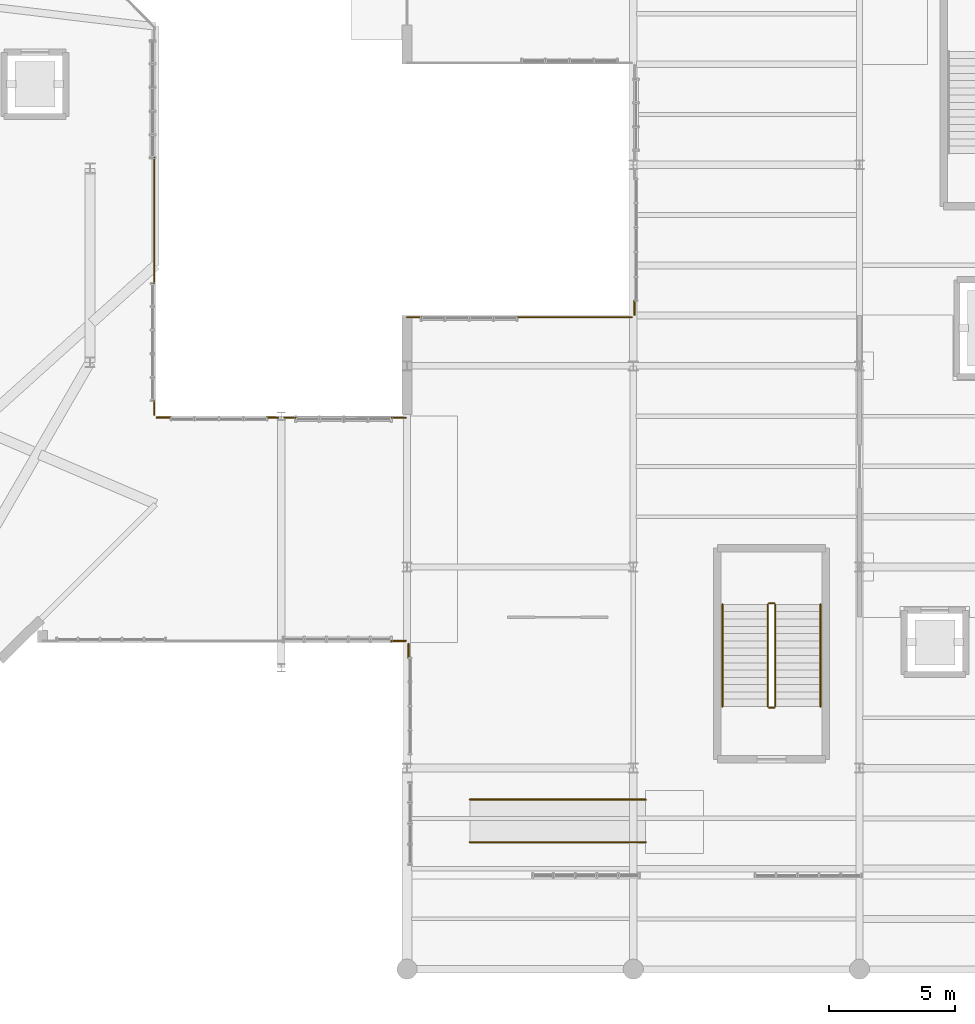
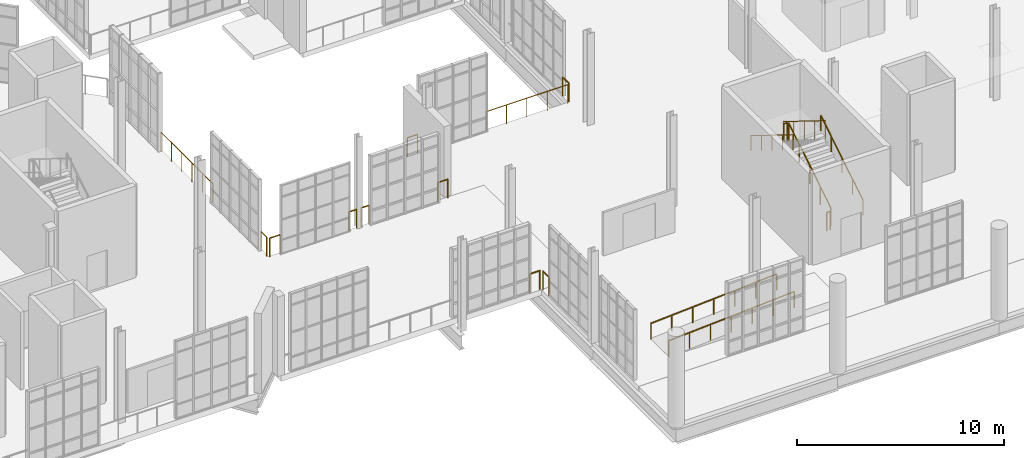
# One storey, part 184 of 189: 19 railings.
"""IFC4 building model written with IfcOpenShell, lengths in metres."""

from ifc_helpers import new_model, si_unit, direction, frame, origin, origin_2d, place, context, subcontext, project, spatial, circle, extrude, material, type_object, element, save


model = new_model("IFC4")

# Units and contexts
model_context = context("Model", 3, precision=1e-05, world=origin(), true_north=direction((0.0, 1.0)))
body_context = subcontext(model_context, "Body", "Model", "MODEL_VIEW")
ifc_project = project(units=[si_unit("LENGTHUNIT", "METRE"), si_unit("AREAUNIT", "SQUARE_METRE"), si_unit("VOLUMEUNIT", "CUBIC_METRE"), si_unit("PLANEANGLEUNIT", "RADIAN"), si_unit("MASSUNIT", "GRAM", prefix="KILO"), si_unit("THERMODYNAMICTEMPERATUREUNIT", "KELVIN"), si_unit("POWERUNIT", "WATT")], contexts=[model_context])

# Site, building, storey
site_placement = place(None, origin())
site = spatial("IfcSite", under=ifc_project, at=site_placement, CompositionType="ELEMENT")
building_placement = place(site_placement, origin())
building = spatial("IfcBuilding", under=site, at=building_placement, Name="Zelmaris Science Centre", CompositionType="ELEMENT")
storey_placement = place(building_placement, origin())
storey = spatial("IfcBuildingStorey", under=building, at=storey_placement, Name="L00", CompositionType="ELEMENT", Elevation=0.0)

# Railings
ifc_material = material(Name="Architectural bronze alloy C28000")
railing_type_1 = type_object("IfcRailingType", Name="Balustrade GD-01 H1120", PredefinedType="BALUSTRADE", material=ifc_material)
railing_1_placement = place(storey_placement, frame((97.93994140625, 40.283203125, 0.0)))
element("IfcRailing", 1, at=railing_1_placement, inside=storey, type_object=railing_type_1, Name="L00 Perimeter safety balustrade 20", PredefinedType="BALUSTRADE", context=body_context, shape_type="SweptSolid", body=[
    extrude(circle(Radius=0.02392578125, at=origin_2d()), frame((0.0, 0.0, 1.09619140625), z_axis=(0.0, -1.0, 0.0), x_axis=(1.0, 0.0, 0.0)), (0.0, 0.0, 1.0), 5.006591796875),
    extrude(circle(Radius=0.02099609375, at=origin_2d()), origin(), (0.0, 0.0, 1.0), 1.072021484375),
    extrude(circle(Radius=0.02099609375, at=origin_2d()), frame((0.0, -1.001220703125, 0.0)), (0.0, 0.0, 1.0), 1.072021484375),
    extrude(circle(Radius=0.02099609375, at=origin_2d()), frame((0.0, -2.002685546875, 0.0)), (0.0, 0.0, 1.0), 1.072021484375),
    extrude(circle(Radius=0.02099609375, at=origin_2d()), frame((0.0, -3.00390625, 0.0)), (0.0, 0.0, 1.0), 1.072021484375),
    extrude(circle(Radius=0.02099609375, at=origin_2d()), frame((0.0, -4.00537109375, 0.0)), (0.0, 0.0, 1.0), 1.072021484375),
    extrude(circle(Radius=0.02099609375, at=origin_2d()), frame((0.0, -5.006591796875, 0.0)), (0.0, 0.0, 1.0), 1.072021484375),
])
railing_2_placement = place(storey_placement, frame((97.93994140625, 30.6298828125, 0.0)))
element("IfcRailing", 2, at=railing_2_placement, inside=storey, type_object=railing_type_1, Name="L00 Perimeter safety balustrade 21", PredefinedType="BALUSTRADE", context=body_context, shape_type="SweptSolid", body=[
    extrude(circle(Radius=0.02392578125, at=origin_2d()), frame((0.0, 0.0, 1.09619140625), z_axis=(0.0, -1.0, 0.0), x_axis=(1.0, 0.0, 0.0)), (0.0, 0.0, 1.0), 0.56982421875),
    extrude(circle(Radius=0.02099609375, at=origin_2d()), origin(), (0.0, 0.0, 1.0), 1.072021484375),
    extrude(circle(Radius=0.02099609375, at=origin_2d()), frame((0.0, -0.56982421875, 0.0)), (0.0, 0.0, 1.0), 1.072021484375),
])
railing_3_placement = place(storey_placement, frame((98.037109375, 29.944580078125, 0.0)))
element("IfcRailing", 3, at=railing_3_placement, inside=storey, type_object=railing_type_1, Name="L00 Perimeter safety balustrade 22", PredefinedType="BALUSTRADE", context=body_context, shape_type="SweptSolid", body=[
    extrude(circle(Radius=0.02392578125, at=origin_2d()), frame((0.0, 0.0, 1.09619140625), z_axis=(0.999999908216, -0.000428448975, 0.0), x_axis=(0.000428448975, 0.999999908216, 0.0)), (0.0, 0.0, 1.0), 0.56982421875),
    extrude(circle(Radius=0.02099609375, at=origin_2d()), origin(), (0.0, 0.0, 1.0), 1.072021484375),
    extrude(circle(Radius=0.02099609375, at=origin_2d()), frame((0.56982421875, -0.000244140625, 0.0)), (0.0, 0.0, 1.0), 1.072021484375),
])
for number, where, name in (
    (4, (102.429931640625, 29.943115234375, 0.0), "L00 Perimeter safety balustrade 23"),
    (5, (103.12353515625, 29.94287109375, 0.0), "L00 Perimeter safety balustrade 24"),
):
    element("IfcRailing", number, at=place(storey_placement, frame(where)), inside=storey, type_object=railing_type_1, Name=name, PredefinedType="BALUSTRADE", context=body_context, shape_type="SweptSolid", body=[
        extrude(circle(Radius=0.02392578125, at=origin_2d()), frame((0.0, 0.0, 1.09619140625), z_axis=(0.999999850534, -0.000546746774, 0.0), x_axis=(0.000546746774, 0.999999850534, 0.0)), (0.0, 0.0, 1.0), 0.446533203125),
        extrude(circle(Radius=0.02099609375, at=origin_2d()), origin(), (0.0, 0.0, 1.0), 1.072021484375),
        extrude(circle(Radius=0.02099609375, at=origin_2d()), frame((0.446533203125, -0.000244140625, 0.0)), (0.0, 0.0, 1.0), 1.072021484375),
    ])
railing_4_placement = place(storey_placement, frame((107.381591796875, 29.94140625, 0.0)))
element("IfcRailing", 6, at=railing_4_placement, inside=storey, type_object=railing_type_1, Name="L00 Perimeter safety balustrade 25", PredefinedType="BALUSTRADE", context=body_context, shape_type="SweptSolid", body=[
    extrude(circle(Radius=0.02392578125, at=origin_2d()), frame((0.0, 0.0, 1.09619140625), z_axis=(0.999999908294, -0.000428265485, 0.0), x_axis=(0.000428265485, 0.999999908294, 0.0)), (0.0, 0.0, 1.0), 0.570068359375),
    extrude(circle(Radius=0.02099609375, at=origin_2d()), origin(), (0.0, 0.0, 1.0), 1.072021484375),
    extrude(circle(Radius=0.02099609375, at=origin_2d()), frame((0.570068359375, -0.000244140625, 0.0)), (0.0, 0.0, 1.0), 1.072021484375),
])
railing_5_placement = place(storey_placement, frame((108.0, 33.93994140625, 0.0)))
element("IfcRailing", 7, at=railing_5_placement, inside=storey, type_object=railing_type_1, Name="L00 Perimeter safety balustrade 26", PredefinedType="BALUSTRADE", context=body_context, shape_type="SweptSolid", body=[
    extrude(circle(Radius=0.02392578125, at=origin_2d()), frame((0.0, 0.0, 1.09619140625), z_axis=(1.0, 0.0, 0.0), x_axis=(0.0, 1.0, 0.0)), (0.0, 0.0, 1.0), 0.570068359375),
    extrude(circle(Radius=0.02099609375, at=origin_2d()), origin(), (0.0, 0.0, 1.0), 1.072021484375),
    extrude(circle(Radius=0.02099609375, at=origin_2d()), frame((0.570068359375, 0.0, 0.0)), (0.0, 0.0, 1.0), 1.072021484375),
])
railing_6_placement = place(storey_placement, frame((112.3798828125, 33.93994140625, 0.0)))
element("IfcRailing", 8, at=railing_6_placement, inside=storey, type_object=railing_type_1, Name="L00 Perimeter safety balustrade 27", PredefinedType="BALUSTRADE", context=body_context, shape_type="SweptSolid", body=[
    extrude(circle(Radius=0.02392578125, at=origin_2d()), frame((0.0, 0.0, 1.09619140625), z_axis=(1.0, 0.0, 0.0), x_axis=(0.0, 1.0, 0.0)), (0.0, 0.0, 1.0), 4.56005859375),
    extrude(circle(Radius=0.02099609375, at=origin_2d()), origin(), (0.0, 0.0, 1.0), 1.072021484375),
    extrude(circle(Radius=0.02099609375, at=origin_2d()), frame((1.14013671875, 0.0, 0.0)), (0.0, 0.0, 1.0), 1.072021484375),
    extrude(circle(Radius=0.02099609375, at=origin_2d()), frame((2.280029296875, 0.0, 0.0)), (0.0, 0.0, 1.0), 1.072021484375),
    extrude(circle(Radius=0.02099609375, at=origin_2d()), frame((3.419921875, 0.0, 0.0)), (0.0, 0.0, 1.0), 1.072021484375),
    extrude(circle(Radius=0.02099609375, at=origin_2d()), frame((4.56005859375, 0.0, 0.0)), (0.0, 0.0, 1.0), 1.072021484375),
])
railing_7_placement = place(storey_placement, frame((117.0498046875, 34.026611328125, 0.0)))
element("IfcRailing", 9, at=railing_7_placement, inside=storey, type_object=railing_type_1, Name="L00 Perimeter safety balustrade 28", PredefinedType="BALUSTRADE", context=body_context, shape_type="SweptSolid", body=[
    extrude(circle(Radius=0.02392578125, at=origin_2d()), frame((0.0, 0.0, 1.09619140625), z_axis=(0.0, 1.0, 0.0), x_axis=(-1.0, 0.0, 0.0)), (0.0, 0.0, 1.0), 0.570068359375),
    extrude(circle(Radius=0.02099609375, at=origin_2d()), origin(), (0.0, 0.0, 1.0), 1.072021484375),
    extrude(circle(Radius=0.02099609375, at=origin_2d()), frame((0.0, 0.570068359375, 0.0)), (0.0, 0.0, 1.0), 1.072021484375),
])
railing_8_placement = place(storey_placement, frame((108.06005859375, 20.3701171875, 0.0)))
element("IfcRailing", 10, at=railing_8_placement, inside=storey, type_object=railing_type_1, Name="L00 Perimeter safety balustrade 37", PredefinedType="BALUSTRADE", context=body_context, shape_type="SweptSolid", body=[
    extrude(circle(Radius=0.02392578125, at=origin_2d()), frame((0.0, 0.0, 1.09619140625), z_axis=(0.0, 1.0, 0.0), x_axis=(-1.0, 0.0, 0.0)), (0.0, 0.0, 1.0), 0.56982421875),
    extrude(circle(Radius=0.02099609375, at=origin_2d()), origin(), (0.0, 0.0, 1.0), 1.072021484375),
    extrude(circle(Radius=0.02099609375, at=origin_2d()), frame((0.0, 0.56982421875, 0.0)), (0.0, 0.0, 1.0), 1.072021484375),
])
railing_9_placement = place(storey_placement, frame((107.95166015625, 21.058837890625, 0.0)))
element("IfcRailing", 11, at=railing_9_placement, inside=storey, type_object=railing_type_1, Name="L00 Perimeter safety balustrade 38", PredefinedType="BALUSTRADE", context=body_context, shape_type="SweptSolid", body=[
    extrude(circle(Radius=0.02392578125, at=origin_2d()), frame((0.0, 0.0, 1.09619140625), z_axis=(-1.0, 0.0, 0.0), x_axis=(0.0, -1.0, 0.0)), (0.0, 0.0, 1.0), 0.570068359375),
    extrude(circle(Radius=0.02099609375, at=origin_2d()), origin(), (0.0, 0.0, 1.0), 1.072021484375),
    extrude(circle(Radius=0.02099609375, at=origin_2d()), frame((-0.570068359375, 0.0, 0.0)), (0.0, 0.0, 1.0), 1.072021484375),
])
railing_10_placement = place(storey_placement, frame((122.64990234375, 18.449951171875, 0.179931640625)))
element("IfcRailing", 12, at=railing_10_placement, inside=storey, type_object=railing_type_1, Name="L00 ST-4 stair guard 1", PredefinedType="BALUSTRADE", context=body_context, shape_type="SweptSolid", body=[
    extrude(circle(Radius=0.02392578125, at=origin_2d()), frame((0.0, 0.0, 1.076171875), z_axis=(0.0, 0.849641744969, 0.527360318194), x_axis=(-1.0, 0.0, 0.0)), (0.0, 0.0, 1.0), 4.778564453125),
    extrude(circle(Radius=0.02099609375, at=origin_2d()), origin(), (0.0, 0.0, 1.0), 1.052001953125),
    extrude(circle(Radius=0.02099609375, at=origin_2d()), frame((0.0, 1.01513671875, 0.6298828125)), (0.0, 0.0, 1.0), 1.052001953125),
    extrude(circle(Radius=0.02099609375, at=origin_2d()), frame((0.0, 2.030029296875, 1.260009765625)), (0.0, 0.0, 1.0), 1.052001953125),
    extrude(circle(Radius=0.02099609375, at=origin_2d()), frame((0.0, 3.044921875, 1.89013671875)), (0.0, 0.0, 1.0), 1.052001953125),
    extrude(circle(Radius=0.02099609375, at=origin_2d()), frame((0.0, 4.06005859375, 2.52001953125)), (0.0, 0.0, 1.0), 1.052001953125),
])
railing_11_placement = place(storey_placement, frame((122.60009765625, 22.56005859375, 2.699951171875)))
element("IfcRailing", 13, at=railing_11_placement, inside=storey, type_object=railing_type_1, Name="L00 ST-4 stair guard 2", PredefinedType="BALUSTRADE", context=body_context, shape_type="SweptSolid", body=[
    extrude(circle(Radius=0.02392578125, at=origin_2d()), frame((0.0, 0.0, 1.076171875), z_axis=(-1.0, 0.0, 0.0), x_axis=(0.0, -1.0, 0.0)), (0.0, 0.0, 1.0), 0.2001953125),
    extrude(circle(Radius=0.02099609375, at=origin_2d()), origin(), (0.0, 0.0, 1.0), 1.052001953125),
    extrude(circle(Radius=0.02099609375, at=origin_2d()), frame((-0.2001953125, 0.0, 0.0)), (0.0, 0.0, 1.0), 1.052001953125),
])
railing_12_placement = place(storey_placement, frame((122.35009765625, 22.510009765625, 2.8798828125)))
element("IfcRailing", 14, at=railing_12_placement, inside=storey, type_object=railing_type_1, Name="L00 ST-4 stair guard 3", PredefinedType="BALUSTRADE", context=body_context, shape_type="SweptSolid", body=[
    extrude(circle(Radius=0.02392578125, at=origin_2d()), frame((0.0, 0.0, 1.076171875), z_axis=(0.0, -0.849641744969, 0.527360318194), x_axis=(1.0, 0.0, 0.0)), (0.0, 0.0, 1.0), 4.778564453125),
    extrude(circle(Radius=0.02099609375, at=origin_2d()), origin(), (0.0, 0.0, 1.0), 1.052001953125),
    extrude(circle(Radius=0.02099609375, at=origin_2d()), frame((0.0, -1.01513671875, 0.6298828125)), (0.0, 0.0, 1.0), 1.052001953125),
    extrude(circle(Radius=0.02099609375, at=origin_2d()), frame((0.0, -2.030029296875, 1.260009765625)), (0.0, 0.0, 1.0), 1.052001953125),
    extrude(circle(Radius=0.02099609375, at=origin_2d()), frame((0.0, -3.044921875, 1.89013671875)), (0.0, 0.0, 1.0), 1.052001953125),
    extrude(circle(Radius=0.02099609375, at=origin_2d()), frame((0.0, -4.06005859375, 2.52001953125)), (0.0, 0.0, 1.0), 1.052001953125),
])
railing_13_placement = place(storey_placement, frame((122.60009765625, 18.39990234375, 0.0)))
element("IfcRailing", 15, at=railing_13_placement, inside=storey, type_object=railing_type_1, Name="L00 ST-4 stair guard 4", PredefinedType="BALUSTRADE", context=body_context, shape_type="SweptSolid", body=[
    extrude(circle(Radius=0.02392578125, at=origin_2d()), frame((0.0, 0.0, 1.076171875), z_axis=(-1.0, 0.0, 0.0), x_axis=(0.0, -1.0, 0.0)), (0.0, 0.0, 1.0), 0.2001953125),
    extrude(circle(Radius=0.02099609375, at=origin_2d()), origin(), (0.0, 0.0, 1.0), 1.052001953125),
    extrude(circle(Radius=0.02099609375, at=origin_2d()), frame((-0.2001953125, 0.0, 0.0)), (0.0, 0.0, 1.0), 1.052001953125),
])
railing_type_2 = type_object("IfcRailingType", Name="Handrail HR-01 H900", PredefinedType="HANDRAIL", material=ifc_material)
railing_14_placement = place(storey_placement, frame((124.449951171875, 18.449951171875, 0.179931640625)))
element("IfcRailing", 16, at=railing_14_placement, inside=storey, type_object=railing_type_2, Name="L00 ST-4 stair handrail 1", PredefinedType="HANDRAIL", context=body_context, shape_type="SweptSolid", body=[
    extrude(circle(Radius=0.02392578125, at=origin_2d()), frame((0.0, 0.0, 0.8759765625), z_axis=(0.0, 0.849641744969, 0.527360318194), x_axis=(-1.0, 0.0, 0.0)), (0.0, 0.0, 1.0), 4.778564453125),
    extrude(circle(Radius=0.02099609375, at=origin_2d()), origin(), (0.0, 0.0, 1.0), 0.851806640625),
    extrude(circle(Radius=0.02099609375, at=origin_2d()), frame((0.0, 1.01513671875, 0.6298828125)), (0.0, 0.0, 1.0), 0.851806640625),
    extrude(circle(Radius=0.02099609375, at=origin_2d()), frame((0.0, 2.030029296875, 1.260009765625)), (0.0, 0.0, 1.0), 0.851806640625),
    extrude(circle(Radius=0.02099609375, at=origin_2d()), frame((0.0, 3.044921875, 1.89013671875)), (0.0, 0.0, 1.0), 0.851806640625),
    extrude(circle(Radius=0.02099609375, at=origin_2d()), frame((0.0, 4.06005859375, 2.52001953125)), (0.0, 0.0, 1.0), 0.851806640625),
])
railing_15_placement = place(storey_placement, frame((120.550048828125, 22.510009765625, 2.8798828125)))
element("IfcRailing", 17, at=railing_15_placement, inside=storey, type_object=railing_type_2, Name="L00 ST-4 stair handrail 2", PredefinedType="HANDRAIL", context=body_context, shape_type="SweptSolid", body=[
    extrude(circle(Radius=0.02392578125, at=origin_2d()), frame((0.0, 0.0, 0.8759765625), z_axis=(0.0, -0.849641744969, 0.527360318194), x_axis=(1.0, 0.0, 0.0)), (0.0, 0.0, 1.0), 4.778564453125),
    extrude(circle(Radius=0.02099609375, at=origin_2d()), origin(), (0.0, 0.0, 1.0), 0.851806640625),
    extrude(circle(Radius=0.02099609375, at=origin_2d()), frame((0.0, -1.01513671875, 0.6298828125)), (0.0, 0.0, 1.0), 0.851806640625),
    extrude(circle(Radius=0.02099609375, at=origin_2d()), frame((0.0, -2.030029296875, 1.260009765625)), (0.0, 0.0, 1.0), 0.851806640625),
    extrude(circle(Radius=0.02099609375, at=origin_2d()), frame((0.0, -3.044921875, 1.89013671875)), (0.0, 0.0, 1.0), 0.851806640625),
    extrude(circle(Radius=0.02099609375, at=origin_2d()), frame((0.0, -4.06005859375, 2.52001953125)), (0.0, 0.0, 1.0), 0.851806640625),
])
railing_type_3 = type_object("IfcRailingType", Name="Handrail HR-02 H950", PredefinedType="HANDRAIL", material=ifc_material)
for number, where, name in (
    (18, (110.5, 13.050048828125, 0.0), "L00 Entrance foyer step-free ramp handrail 1"),
    (19, (110.5, 14.75, 0.0), "L00 Entrance foyer step-free ramp handrail 2"),
):
    element("IfcRailing", number, at=place(storey_placement, frame(where)), inside=storey, type_object=railing_type_3, Name=name, PredefinedType="HANDRAIL", context=body_context, shape_type="SweptSolid", body=[
        extrude(circle(Radius=0.02392578125, at=origin_2d()), frame((0.0, 0.0, 0.92578125), z_axis=(0.997940501683, 0.0, 0.064146356885), x_axis=(0.0, 1.0, 0.0)), (0.0, 0.0, 1.0), 7.014404296875),
        extrude(circle(Radius=0.02099609375, at=origin_2d()), origin(), (0.0, 0.0, 1.0), 0.90185546875),
        extrude(circle(Radius=0.02099609375, at=origin_2d()), frame((1.166748046875, 0.0, 0.074951171875)), (0.0, 0.0, 1.0), 0.90185546875),
        extrude(circle(Radius=0.02099609375, at=origin_2d()), frame((2.333251953125, 0.0, 0.14990234375)), (0.0, 0.0, 1.0), 0.90185546875),
        extrude(circle(Radius=0.02099609375, at=origin_2d()), frame((3.5, 0.0, 0.22509765625)), (0.0, 0.0, 1.0), 0.90185546875),
        extrude(circle(Radius=0.02099609375, at=origin_2d()), frame((4.666748046875, 0.0, 0.300048828125)), (0.0, 0.0, 1.0), 0.90185546875),
        extrude(circle(Radius=0.02099609375, at=origin_2d()), frame((5.833251953125, 0.0, 0.375)), (0.0, 0.0, 1.0), 0.90185546875),
        extrude(circle(Radius=0.02099609375, at=origin_2d()), frame((7.0, 0.0, 0.449951171875)), (0.0, 0.0, 1.0), 0.90185546875),
    ])

save(model, "model.ifc")
